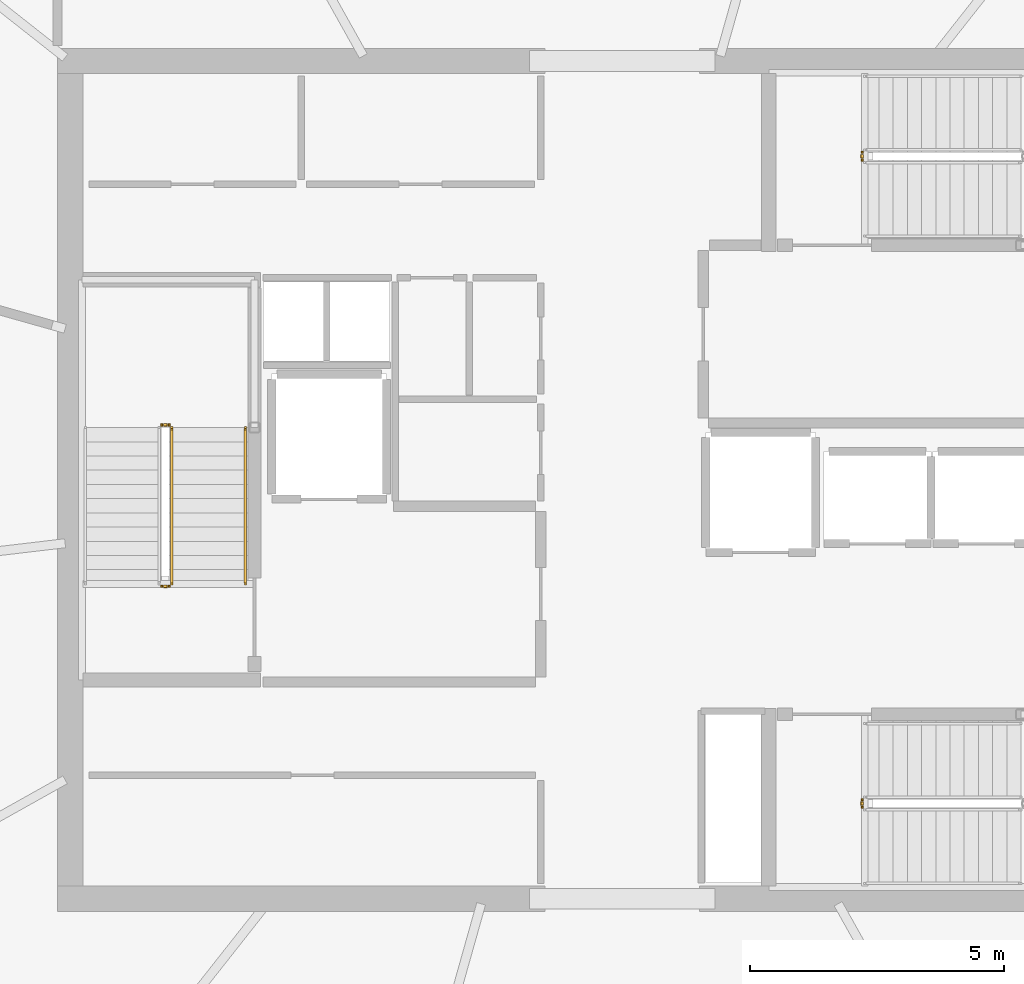
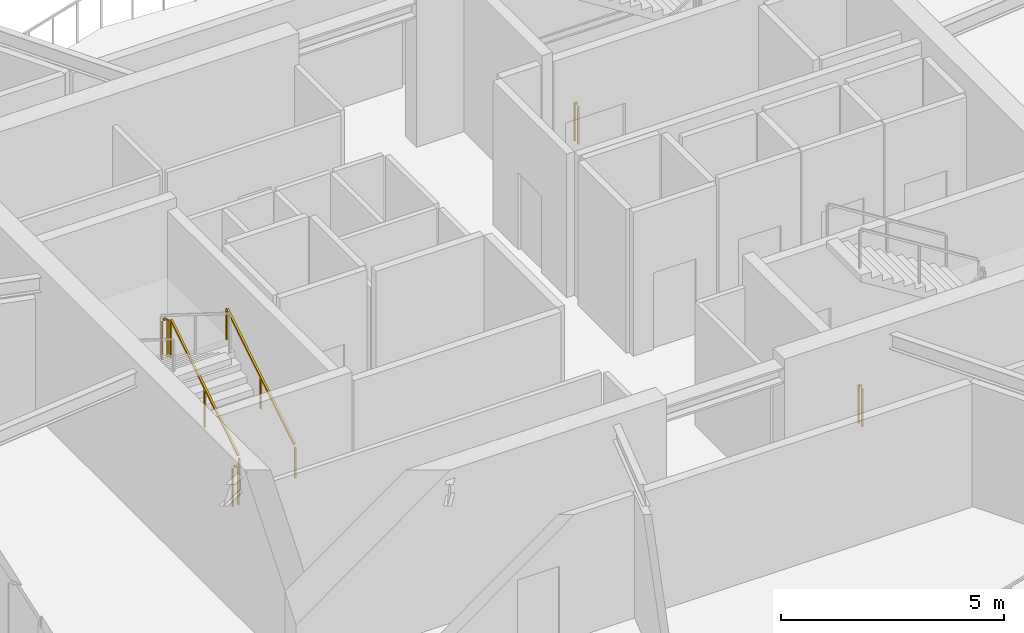
# One storey, part 19 of 22: 6 railings.
"""IFC4 building model written with IfcOpenShell, lengths in metres."""

from ifc_helpers import new_model, si_unit, direction, frame, origin, origin_2d, place, context, subcontext, project, spatial, rectangle, extrude, material, type_object, element, save


model = new_model("IFC4")

# Units and contexts
model_context = context("Model", 3, precision=1e-05, world=origin(), true_north=direction((0.0, 1.0)))
body_context = subcontext(model_context, "Body", "Model", "MODEL_VIEW")
ifc_project = project(units=[si_unit("LENGTHUNIT", "METRE"), si_unit("AREAUNIT", "SQUARE_METRE"), si_unit("VOLUMEUNIT", "CUBIC_METRE"), si_unit("PLANEANGLEUNIT", "RADIAN"), si_unit("MASSUNIT", "GRAM", prefix="KILO")], contexts=[model_context])

# Site, building, storey
site_placement = place(None, origin())
site = spatial("IfcSite", under=ifc_project, at=site_placement, CompositionType="ELEMENT")
building_placement = place(site_placement, origin())
building = spatial("IfcBuilding", under=site, at=building_placement, Name="Kazma Halo Residences", CompositionType="ELEMENT")
storey_placement = place(building_placement, frame((0.0, 0.0, 334.699951171875)))
storey = spatial("IfcBuildingStorey", under=building, at=storey_placement, Name="L84", CompositionType="ELEMENT", Elevation=334.699951171875)

# Railings
ifc_material_1 = material(Name="Painted Steel S355", Category="steel")
railing_type_1 = type_object("IfcRailingType", Name="RLG-STAIR-GRD-1100", PredefinedType="GUARDRAIL", material=ifc_material_1)
railing_1_placement = place(storey_placement, frame((39.550048828125, 39.949951171875, 0.175048828125)))
element("IfcRailing", 1, at=railing_1_placement, inside=storey, type_object=railing_type_1, Name="L84 ST-01 stair guard 1", PredefinedType="GUARDRAIL", context=body_context, shape_type="SweptSolid", body=[
    extrude(rectangle(XDim=0.050048828125, YDim=0.050048828125, at=origin_2d()), frame((0.0, 0.0361328125, 1.09765625), z_axis=(0.0, 0.847998304005, 0.529998940003), x_axis=(-1.0, 0.0, 0.0)), (0.0, 0.0, 1.0), 3.547119140625),
    extrude(rectangle(XDim=0.0400390625, YDim=0.0400390625, at=origin_2d()), origin(), (0.0, 0.0, 1.0), 1.0380859375),
    extrude(rectangle(XDim=0.0400390625, YDim=0.0400390625, at=origin_2d()), frame((0.0, 1.5400390625, 0.96240234375)), (0.0, 0.0, 1.0), 1.0380859375),
    extrude(rectangle(XDim=0.0400390625, YDim=0.0400390625, at=origin_2d()), frame((0.0, 3.080078125, 1.925048828125)), (0.0, 0.0, 1.0), 1.0380859375),
])
for number, where, name in (
    (2, (39.5, 43.080078125, 2.10009765625), "L84 ST-01 stair guard 2"),
    (3, (39.5, 39.89990234375, 0.0), "L84 ST-01 stair guard 4"),
):
    element("IfcRailing", number, at=place(storey_placement, frame(where)), inside=storey, type_object=railing_type_1, Name=name, PredefinedType="GUARDRAIL", context=body_context, shape_type="SweptSolid", body=[
        extrude(rectangle(XDim=0.050048828125, YDim=0.050048828125, at=origin_2d()), frame((-0.04248046875, 0.0, 1.0751953125), z_axis=(-1.0, 0.0, 0.0), x_axis=(0.0, -1.0, 0.0)), (0.0, 0.0, 1.0), 0.06494140625),
        extrude(rectangle(XDim=0.0400390625, YDim=0.0400390625, at=origin_2d()), origin(), (0.0, 0.0, 1.0), 1.0380859375),
        extrude(rectangle(XDim=0.0400390625, YDim=0.0400390625, at=origin_2d()), frame((-0.14990234375, 0.0, 0.0)), (0.0, 0.0, 1.0), 1.0380859375),
    ])
for number, where, name in (
    (4, (53.14990234375, 48.300048828125, 0.0), "L84 ST-02 stair guard 4"),
    (5, (53.14990234375, 35.550048828125, 0.0), "L84 ST-03 stair guard 4"),
):
    element("IfcRailing", number, at=place(storey_placement, frame(where)), inside=storey, type_object=railing_type_1, Name=name, PredefinedType="GUARDRAIL", context=body_context, shape_type="SweptSolid", body=[
        extrude(rectangle(XDim=0.050048828125, YDim=0.050048828125, at=origin_2d()), frame((0.0, 0.04248046875, 1.0751953125), z_axis=(0.0, 1.0, 0.0), x_axis=(-1.0, 0.0, 0.0)), (0.0, 0.0, 1.0), 0.06494140625),
        extrude(rectangle(XDim=0.0400390625, YDim=0.0400390625, at=origin_2d()), origin(), (0.0, 0.0, 1.0), 1.0380859375),
        extrude(rectangle(XDim=0.0400390625, YDim=0.0400390625, at=origin_2d()), frame((0.0, 0.14990234375, 0.0)), (0.0, 0.0, 1.0), 1.0380859375),
    ])
ifc_material_2 = material(Name="Brushed Stainless Steel", Category="steel")
railing_type_2 = type_object("IfcRailingType", Name="RLG-STAIR-HND-900", PredefinedType="HANDRAIL", material=ifc_material_2)
railing_2_placement = place(storey_placement, frame((41.0, 39.949951171875, 0.175048828125)))
element("IfcRailing", 6, at=railing_2_placement, inside=storey, type_object=railing_type_2, Name="L84 ST-01 stair handrail 1", PredefinedType="HANDRAIL", context=body_context, shape_type="SweptSolid", body=[
    extrude(rectangle(XDim=0.050048828125, YDim=0.050048828125, at=origin_2d()), frame((0.0, 0.0361328125, 0.8974609375), z_axis=(0.0, 0.847998304005, 0.529998940003), x_axis=(-1.0, 0.0, 0.0)), (0.0, 0.0, 1.0), 3.547119140625),
    extrude(rectangle(XDim=0.0400390625, YDim=0.0400390625, at=origin_2d()), origin(), (0.0, 0.0, 1.0), 0.837890625),
    extrude(rectangle(XDim=0.0400390625, YDim=0.0400390625, at=origin_2d()), frame((0.0, 1.5400390625, 0.96240234375)), (0.0, 0.0, 1.0), 0.837890625),
    extrude(rectangle(XDim=0.0400390625, YDim=0.0400390625, at=origin_2d()), frame((0.0, 3.080078125, 1.925048828125)), (0.0, 0.0, 1.0), 0.837890625),
])

save(model, "model.ifc")
